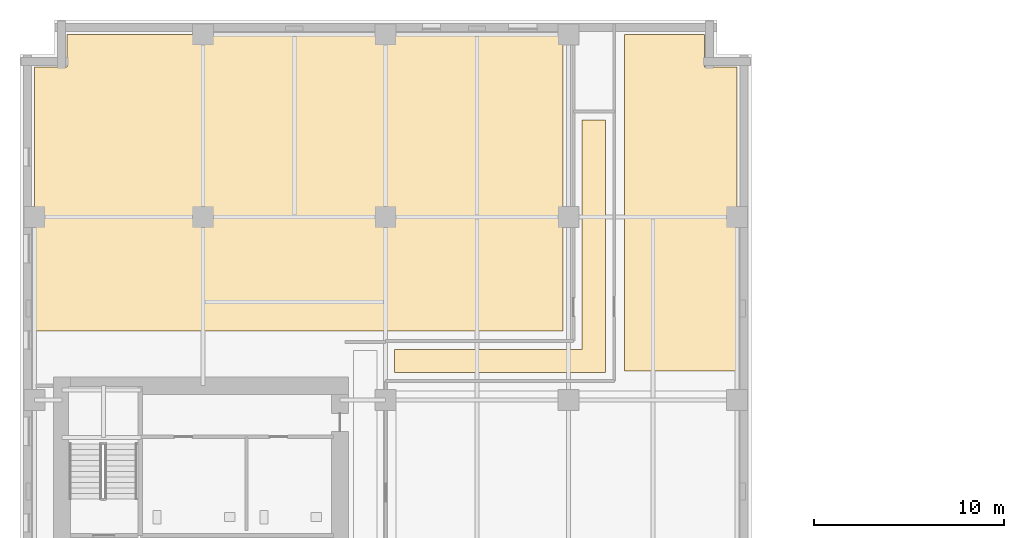
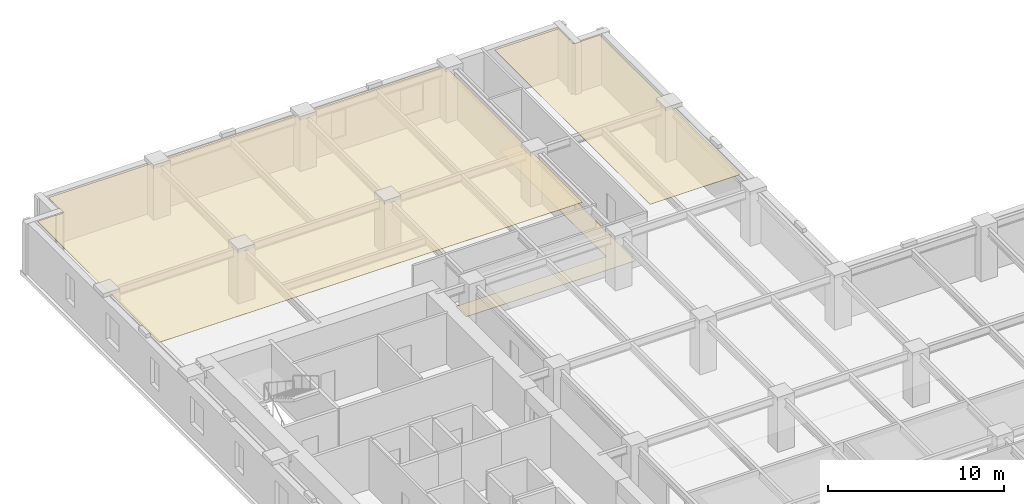
# One storey, part 12 of 13: 3 coverings.
"""IFC4 building model written with IfcOpenShell, lengths in metres."""

from ifc_helpers import new_model, si_unit, direction, frame, origin, place, context, subcontext, project, spatial, polyline, outline, extrude, material, layer, layer_set, type_object, element, save


model = new_model("IFC4")

# Units and contexts
model_context = context("Model", 3, precision=1e-05, world=origin(), true_north=direction((0.0, 1.0)))
body_context = subcontext(model_context, "Body", "Model", "MODEL_VIEW")
ifc_project = project(units=[si_unit("LENGTHUNIT", "METRE"), si_unit("AREAUNIT", "SQUARE_METRE"), si_unit("VOLUMEUNIT", "CUBIC_METRE"), si_unit("PLANEANGLEUNIT", "RADIAN"), si_unit("MASSUNIT", "GRAM", prefix="KILO")], contexts=[model_context])

# Site, building, storey
site_placement = place(None, origin())
site = spatial("IfcSite", under=ifc_project, at=site_placement, CompositionType="ELEMENT")
building_placement = place(site_placement, origin())
building = spatial("IfcBuilding", under=site, at=building_placement, Name="Norrvale University Quadrangle", CompositionType="ELEMENT")
storey_placement = place(building_placement, frame((0.0, 0.0, 77.39990234375)))
storey = spatial("IfcBuildingStorey", under=building, at=storey_placement, Name="L19", CompositionType="ELEMENT", Elevation=77.39990234375)

# Coverings
ifc_material_1 = material(Name="Perforated Acoustic Mineral Ceiling")
ifc_layer_1 = layer(ifc_material_1, 0.02490234375, Name="Perforated Acoustic Mineral Ceiling")
ifc_layer_set_1 = layer_set([ifc_layer_1], Name="Perforated Acoustic Mineral Ceiling")
covering_type_1 = type_object("IfcCoveringType", Name="Covering Acoustic Ceiling 25", PredefinedType="CEILING", material=ifc_layer_set_1)
covering_1_placement = place(storey_placement, frame((0.0, 0.0, 3.51513671875)))
element("IfcCovering", 1, at=covering_1_placement, inside=storey, type_object=covering_type_1, Name="Acoustic Ceiling RM-L19-NE01", PredefinedType="CEILING", context=body_context, shape_type="SweptSolid", body=[
    extrude(outline(polyline([(37.64990234375, 48.780029296875), (31.72998046875, 48.780029296875), (31.72998046875, 66.449951171875), (35.929931640625, 66.449951171875), (35.929931640625, 64.72998046875), (37.64990234375, 64.72998046875), (37.64990234375, 48.780029296875)])), origin(), (0.0, 0.0, 1.0), 0.02490234375),
])
covering_2_placement = place(storey_placement, frame((0.0, 0.0, 3.51513671875)))
element("IfcCovering", 2, at=covering_2_placement, inside=storey, type_object=covering_type_1, Name="Acoustic Ceiling RM-L19-NW01", PredefinedType="CEILING", context=body_context, shape_type="SweptSolid", body=[
    extrude(outline(polyline([(28.52001953125, 66.449951171875), (28.52001953125, 50.8798828125), (0.75, 50.8798828125), (0.75, 64.72998046875), (2.469970703125, 64.72998046875), (2.469970703125, 66.449951171875), (28.52001953125, 66.449951171875)])), origin(), (0.0, 0.0, 1.0), 0.02490234375),
])
ifc_material_2 = material(Name="Polished Terrazzo Flooring")
ifc_layer_2 = layer(ifc_material_2, 0.02490234375, Name="Polished Terrazzo Flooring")
ifc_layer_set_2 = layer_set([ifc_layer_2], Name="Polished Terrazzo Flooring")
covering_type_2 = type_object("IfcCoveringType", Name="Covering Terrazzo Floor 30", PredefinedType="FLOORING", material=ifc_layer_set_2)
covering_3_placement = place(storey_placement, origin())
element("IfcCovering", 3, at=covering_3_placement, inside=storey, type_object=covering_type_2, Name="Terrazzo Flooring RM-L19-NCJOG", PredefinedType="FLOORING", context=body_context, shape_type="SweptSolid", body=[
    extrude(outline(polyline([(19.64990234375, 48.699951171875), (19.64990234375, 49.89990234375), (29.5, 49.89990234375), (29.5, 61.949951171875), (30.75, 61.949951171875), (30.75, 48.699951171875), (19.64990234375, 48.699951171875)])), origin(), (0.0, 0.0, 1.0), 0.025146484375),
])

save(model, "model.ifc")
